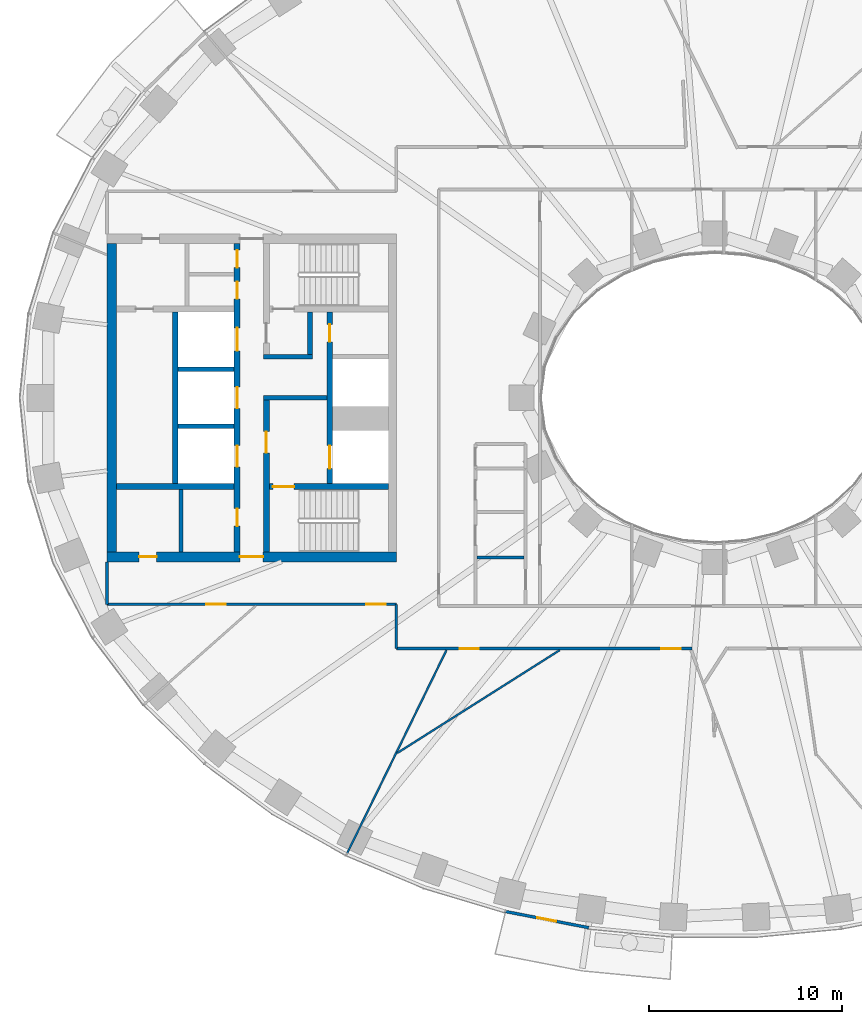
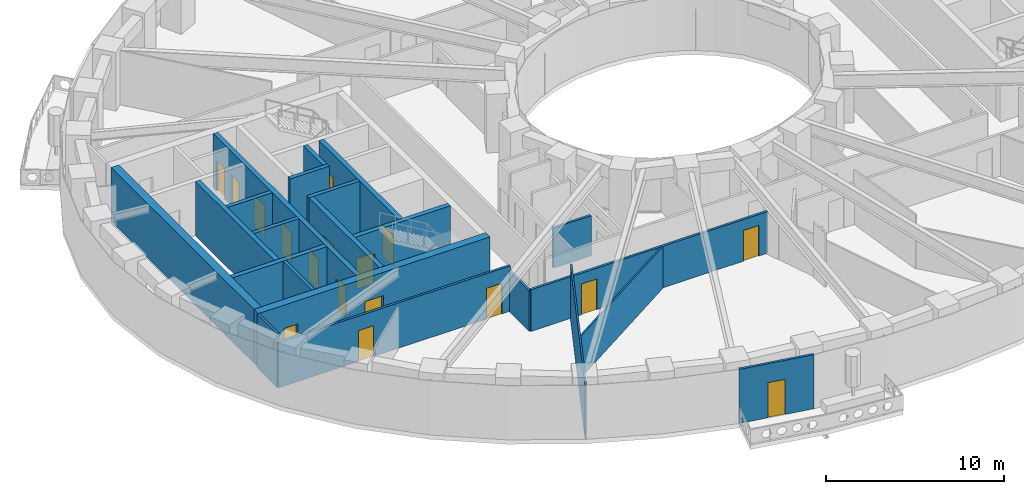
# One storey, part 3 of 16: 22 walls, 17 doors, 17 openings.
"""IFC4 building model written with IfcOpenShell, lengths in metres."""

from ifc_helpers import new_model, si_unit, direction, frame, frame_2d, origin, place, context, subcontext, project, spatial, rectangle, extrude, material, layer, layer_set, type_object, element, fill, save


model = new_model("IFC4")

# Units and contexts
model_context = context("Model", 3, precision=1e-05, world=origin(), true_north=direction((0.0, 1.0)))
body_context = subcontext(model_context, "Body", "Model", "MODEL_VIEW")
ifc_project = project(units=[si_unit("LENGTHUNIT", "METRE"), si_unit("AREAUNIT", "SQUARE_METRE"), si_unit("VOLUMEUNIT", "CUBIC_METRE"), si_unit("PLANEANGLEUNIT", "RADIAN"), si_unit("MASSUNIT", "GRAM", prefix="KILO")], contexts=[model_context])

# Site, building, storey
site_placement = place(None, origin())
site = spatial("IfcSite", under=ifc_project, at=site_placement, CompositionType="ELEMENT")
building_placement = place(site_placement, origin())
building = spatial("IfcBuilding", under=site, at=building_placement, Name="Noorbagh Ring Tower", CompositionType="ELEMENT")
storey_placement = place(building_placement, frame((0.0, 0.0, 58.5)))
storey = spatial("IfcBuildingStorey", under=building, at=storey_placement, Name="L12", CompositionType="ELEMENT", Elevation=58.5)

# Walls
ifc_material_1 = material(Name="Gypsum board on steel studs", Category="steel")
ifc_layer_1 = layer(ifc_material_1, 0.199951171875)
ifc_layer_set_1 = layer_set([ifc_layer_1], Name="Gypsum board on steel studs")
wall_type_1 = type_object("IfcWallType", Name="CORE-PARTITION-200", PredefinedType="PARTITIONING", material=ifc_layer_set_1)
wall_1_placement = place(storey_placement, frame((-27.64990234375, -8.0, 0.0), z_axis=(0.0, 0.0, 1.0), x_axis=(0.0, 1.0, 0.0)))
element("IfcWall", 1, at=wall_1_placement, inside=storey, type_object=wall_type_1, Name="Core partition W", PredefinedType="PARTITIONING", context=body_context, shape_type="SweptSolid", body=[
    extrude(rectangle(XDim=3.25, YDim=0.199951171875, at=frame_2d((1.625, 0.0))), origin(), (0.0, 0.0, 1.0), 3.699951171875),
])
ifc_material_2 = material(Name="Concrete C70/85", Category="concrete")
ifc_layer_2 = layer(ifc_material_2, 0.25)
ifc_layer_set_2 = layer_set([ifc_layer_2], Name="Concrete C70/85")
wall_type_2 = type_object("IfcWallType", Name="CORE-WALL-250-C70-85-EI120", PredefinedType="SHEAR", material=ifc_layer_set_2)
for number, where, z_axis, x_axis, name in (
    (2, (-24.89990234375, -1.47509765625, 0.0), (0.0, 0.0, 1.0), (-1.0, 0.0, 0.0), "Core wall W"),
    (3, (-24.89990234375, 1.47509765625, 0.0), (0.0, 0.0, 1.0), (-1.0, 0.0, 0.0), "Core wall W"),
):
    element("IfcWall", number, at=place(storey_placement, frame(where, z_axis=z_axis, x_axis=x_axis)), inside=storey, type_object=wall_type_2, Name=name, PredefinedType="SHEAR", context=body_context, shape_type="SweptSolid", body=[
        extrude(rectangle(XDim=2.900146484375, YDim=0.25, at=frame_2d((1.4501953125, 0.0))), origin(), (0.0, 0.0, 1.0), 3.699951171875),
    ])
ifc_material_3 = material(Name="Concrete C70/85", Category="concrete")
ifc_layer_3 = layer(ifc_material_3, 0.25)
ifc_layer_set_3 = layer_set([ifc_layer_3], Name="Concrete C70/85")
wall_type_3 = type_object("IfcWallType", Name="CORE-WALL-250-C70-85-EI240", PredefinedType="SHEAR", material=ifc_layer_set_3)
wall_2_placement = place(storey_placement, frame((-20.10009765625, 0.0, 0.0), z_axis=(0.0, 0.0, 1.0), x_axis=(-1.0, 0.0, 0.0)))
element("IfcWall", 4, at=wall_2_placement, inside=storey, type_object=wall_type_3, Name="Core wall W", PredefinedType="SHEAR", context=body_context, shape_type="SweptSolid", body=[
    extrude(rectangle(XDim=3.27978515625, YDim=0.25, at=frame_2d((1.639892578125, 0.0))), origin(), (0.0, 0.0, 1.0), 3.699951171875),
])
wall_3_placement = place(storey_placement, frame((-20.85009765625, 2.125, 0.0), z_axis=(0.0, 0.0, 1.0), x_axis=(-1.0, 0.0, 0.0)))
element("IfcWall", 5, at=wall_3_placement, inside=storey, type_object=wall_type_3, Name="Core wall W", PredefinedType="SHEAR", context=body_context, shape_type="SweptSolid", body=[
    extrude(rectangle(XDim=2.52978515625, YDim=0.25, at=frame_2d((1.264892578125, 0.0))), origin(), (0.0, 0.0, 1.0), 3.699951171875),
])
wall_4_placement = place(storey_placement, frame((-20.97509765625, 2.25, 0.0), z_axis=(0.0, 0.0, 1.0), x_axis=(0.0, 1.0, 0.0)))
element("IfcWall", 6, at=wall_4_placement, inside=storey, type_object=wall_type_3, Name="Core wall W", PredefinedType="SHEAR", context=body_context, shape_type="SweptSolid", body=[
    extrude(rectangle(XDim=2.199951171875, YDim=0.25, at=frame_2d((1.10009765625, 0.0))), origin(), (0.0, 0.0, 1.0), 3.699951171875),
])
ifc_material_4 = material(Name="Concrete C70/85", Category="concrete")
ifc_layer_4 = layer(ifc_material_4, 0.300048828125)
ifc_layer_set_4 = layer_set([ifc_layer_4], Name="Concrete C70/85")
wall_type_4 = type_object("IfcWallType", Name="CORE-WALL-300-C70-85-EI120", PredefinedType="SHEAR", material=ifc_layer_set_4)
wall_5_placement = place(storey_placement, frame((-27.949951171875, -4.449951171875, 0.0), z_axis=(0.0, 0.0, 1.0), x_axis=(0.0, 1.0, 0.0)))
element("IfcWall", 7, at=wall_5_placement, inside=storey, type_object=wall_type_4, Name="Core wall W", PredefinedType="SHEAR", context=body_context, shape_type="SweptSolid", body=[
    extrude(rectangle(XDim=8.89990234375, YDim=0.300048828125, at=frame_2d((4.449951171875, 0.0))), origin(), (0.0, 0.0, 1.0), 3.699951171875),
])

# Wall, openings, doors
wall_6_placement = place(storey_placement, frame((-19.949951171875, -4.449951171875, 0.0), z_axis=(0.0, 0.0, 1.0), x_axis=(0.0, 1.0, 0.0)))
wall_6 = element("IfcWall", 8, at=wall_6_placement, inside=storey, type_object=wall_type_4, Name="Core wall W", PredefinedType="SHEAR", context=body_context, shape_type="SweptSolid", body=[
    extrude(rectangle(XDim=8.89990234375, YDim=0.300048828125, at=frame_2d((4.449951171875, 0.0))), origin(), (0.0, 0.0, 1.0), 3.699951171875),
])
opening_1_placement = place(wall_6_placement, frame((0.77490234375, 0.0, 0.0)))
opening_1 = element("IfcOpeningElement", 9, at=opening_1_placement, cuts=wall_6, Name="Opening L12-CW01", PredefinedType="OPENING", context=body_context, shape_type="SweptSolid", body=[
    extrude(rectangle(XDim=1.199951171875, YDim=2.10009765625, at=frame_2d((0.60009765625, 1.050048828125))), frame((0.0, 0.16015625, 0.0), z_axis=(0.0, -1.0, 0.0), x_axis=(1.0, 0.0, 0.0)), (0.0, 0.0, 1.0), 0.320068359375),
])
opening_2_placement = place(wall_6_placement, frame((7.35009765625, 0.0, 0.0)))
opening_2 = element("IfcOpeningElement", 10, at=opening_2_placement, cuts=wall_6, Name="Opening L12-CW11", PredefinedType="OPENING", context=body_context, shape_type="SweptSolid", body=[
    extrude(rectangle(XDim=0.89990234375, YDim=2.10009765625, at=frame_2d((0.449951171875, 1.050048828125))), frame((0.0, 0.16015625, 0.0), z_axis=(0.0, -1.0, 0.0), x_axis=(1.0, 0.0, 0.0)), (0.0, 0.0, 1.0), 0.320068359375),
])
ifc_material_5 = material(Name="Steel door leaf", Category="steel")
door_type_1 = type_object("IfcDoorType", Name="CORE-DOOR-DROOM", OperationType="SINGLE_SWING_LEFT", PredefinedType="DOOR", material=ifc_material_5)
door_1_placement = place(opening_2_placement, origin())
door_1 = element("IfcDoor", 11, at=door_1_placement, inside=storey, type_object=door_type_1, Name="Core room door L12-CW11", OperationType="SINGLE_SWING_LEFT", OverallHeight=2.10009765625, OverallWidth=0.89990234375, PredefinedType="DOOR", context=body_context, shape_type="SweptSolid", body=[
    extrude(rectangle(XDim=0.89990234375, YDim=2.10009765625, at=frame_2d((0.449951171875, 1.050048828125))), frame((0.0, 0.02490234375, 0.0), z_axis=(0.0, -1.0, 0.0), x_axis=(1.0, 0.0, 0.0)), (0.0, 0.0, 1.0), 0.050048828125),
])
fill(opening_2, door_1)
ifc_material_6 = material(Name="Steel door leaf", Category="steel")
door_type_2 = type_object("IfcDoorType", Name="CORE-DOOR-LDW", OperationType="DOUBLE_DOOR_SLIDING", PredefinedType="DOOR", material=ifc_material_6)
door_2_placement = place(opening_1_placement, origin())
door_2 = element("IfcDoor", 12, at=door_2_placement, inside=storey, type_object=door_type_2, Name="Landing door FF1 L12-CW01", OperationType="DOUBLE_DOOR_SLIDING", OverallHeight=2.10009765625, OverallWidth=1.199951171875, PredefinedType="DOOR", context=body_context, shape_type="SweptSolid", body=[
    extrude(rectangle(XDim=1.199951171875, YDim=2.10009765625, at=frame_2d((0.60009765625, 1.050048828125))), frame((0.0, 0.02490234375, 0.0), z_axis=(0.0, -1.0, 0.0), x_axis=(1.0, 0.0, 0.0)), (0.0, 0.0, 1.0), 0.050048828125),
])
fill(opening_1, door_2)

wall_7_placement = place(storey_placement, frame((-24.75, -8.0, 0.0), z_axis=(0.0, 0.0, 1.0), x_axis=(0.0, 1.0, 0.0)))
wall_7 = element("IfcWall", 13, at=wall_7_placement, inside=storey, type_object=wall_type_4, Name="Core wall W", PredefinedType="SHEAR", context=body_context, shape_type="SweptSolid", body=[
    extrude(rectangle(XDim=16.0, YDim=0.300048828125, at=frame_2d((8.0, 0.0))), origin(), (0.0, 0.0, 1.0), 3.699951171875),
])
opening_3_placement = place(wall_7_placement, frame((4.425048828125, 0.0, 0.0)))
opening_3 = element("IfcOpeningElement", 14, at=opening_3_placement, cuts=wall_7, Name="Opening L12-CW02", PredefinedType="OPENING", context=body_context, shape_type="SweptSolid", body=[
    extrude(rectangle(XDim=1.10009765625, YDim=2.10009765625, at=frame_2d((0.550048828125, 1.050048828125))), frame((0.0, 0.16015625, 0.0), z_axis=(0.0, -1.0, 0.0), x_axis=(1.0, 0.0, 0.0)), (0.0, 0.0, 1.0), 0.320068359375),
])
opening_4_placement = place(wall_7_placement, frame((7.449951171875, 0.0, 0.0)))
opening_4 = element("IfcOpeningElement", 15, at=opening_4_placement, cuts=wall_7, Name="Opening L12-CW03", PredefinedType="OPENING", context=body_context, shape_type="SweptSolid", body=[
    extrude(rectangle(XDim=1.10009765625, YDim=2.10009765625, at=frame_2d((0.550048828125, 1.050048828125))), frame((0.0, 0.16015625, 0.0), z_axis=(0.0, -1.0, 0.0), x_axis=(1.0, 0.0, 0.0)), (0.0, 0.0, 1.0), 0.320068359375),
])
opening_5_placement = place(wall_7_placement, frame((10.425048828125, 0.0, 0.0)))
opening_5 = element("IfcOpeningElement", 16, at=opening_5_placement, cuts=wall_7, Name="Opening L12-CW04", PredefinedType="OPENING", context=body_context, shape_type="SweptSolid", body=[
    extrude(rectangle(XDim=1.199951171875, YDim=2.10009765625, at=frame_2d((0.60009765625, 1.050048828125))), frame((0.0, 0.16015625, 0.0), z_axis=(0.0, -1.0, 0.0), x_axis=(1.0, 0.0, 0.0)), (0.0, 0.0, 1.0), 0.320068359375),
])
opening_6_placement = place(wall_7_placement, frame((13.125, 0.0, 0.0)))
opening_6 = element("IfcOpeningElement", 17, at=opening_6_placement, cuts=wall_7, Name="Opening L12-CW12", PredefinedType="OPENING", context=body_context, shape_type="SweptSolid", body=[
    extrude(rectangle(XDim=0.89990234375, YDim=2.10009765625, at=frame_2d((0.449951171875, 1.050048828125))), frame((0.0, 0.16015625, 0.0), z_axis=(0.0, -1.0, 0.0), x_axis=(1.0, 0.0, 0.0)), (0.0, 0.0, 1.0), 0.320068359375),
])
opening_7_placement = place(wall_7_placement, frame((14.75, 0.0, 0.0)))
opening_7 = element("IfcOpeningElement", 18, at=opening_7_placement, cuts=wall_7, Name="Opening L12-CW13", PredefinedType="OPENING", context=body_context, shape_type="SweptSolid", body=[
    extrude(rectangle(XDim=0.89990234375, YDim=2.10009765625, at=frame_2d((0.449951171875, 1.050048828125))), frame((0.0, 0.16015625, 0.0), z_axis=(0.0, -1.0, 0.0), x_axis=(1.0, 0.0, 0.0)), (0.0, 0.0, 1.0), 0.320068359375),
])
opening_8_placement = place(wall_7_placement, frame((1.35009765625, 0.0, 0.0)))
opening_8 = element("IfcOpeningElement", 19, at=opening_8_placement, cuts=wall_7, Name="Opening L12-CW15", PredefinedType="OPENING", context=body_context, shape_type="SweptSolid", body=[
    extrude(rectangle(XDim=0.89990234375, YDim=2.10009765625, at=frame_2d((0.449951171875, 1.050048828125))), frame((0.0, 0.16015625, 0.0), z_axis=(0.0, -1.0, 0.0), x_axis=(1.0, 0.0, 0.0)), (0.0, 0.0, 1.0), 0.320068359375),
])
door_3_placement = place(opening_6_placement, origin())
door_3 = element("IfcDoor", 20, at=door_3_placement, inside=storey, type_object=door_type_1, Name="Core room door L12-CW12", OperationType="SINGLE_SWING_LEFT", OverallHeight=2.10009765625, OverallWidth=0.89990234375, PredefinedType="DOOR", context=body_context, shape_type="SweptSolid", body=[
    extrude(rectangle(XDim=0.89990234375, YDim=2.10009765625, at=frame_2d((0.449951171875, 1.050048828125))), frame((0.0, 0.02490234375, 0.0), z_axis=(0.0, -1.0, 0.0), x_axis=(1.0, 0.0, 0.0)), (0.0, 0.0, 1.0), 0.050048828125),
])
fill(opening_6, door_3)
door_4_placement = place(opening_7_placement, origin())
door_4 = element("IfcDoor", 21, at=door_4_placement, inside=storey, type_object=door_type_1, Name="Core room door L12-CW13", OperationType="SINGLE_SWING_RIGHT", OverallHeight=2.10009765625, OverallWidth=0.89990234375, PredefinedType="DOOR", context=body_context, shape_type="SweptSolid", body=[
    extrude(rectangle(XDim=0.89990234375, YDim=2.10009765625, at=frame_2d((0.449951171875, 1.050048828125))), frame((0.0, 0.02490234375, 0.0), z_axis=(0.0, -1.0, 0.0), x_axis=(1.0, 0.0, 0.0)), (0.0, 0.0, 1.0), 0.050048828125),
])
fill(opening_7, door_4)
door_5_placement = place(opening_8_placement, origin())
door_5 = element("IfcDoor", 22, at=door_5_placement, inside=storey, type_object=door_type_1, Name="Core room door L12-CW15", OperationType="SINGLE_SWING_LEFT", OverallHeight=2.10009765625, OverallWidth=0.89990234375, PredefinedType="DOOR", context=body_context, shape_type="SweptSolid", body=[
    extrude(rectangle(XDim=0.89990234375, YDim=2.10009765625, at=frame_2d((0.449951171875, 1.050048828125))), frame((0.0, 0.02490234375, 0.0), z_axis=(0.0, -1.0, 0.0), x_axis=(1.0, 0.0, 0.0)), (0.0, 0.0, 1.0), 0.050048828125),
])
fill(opening_8, door_5)
ifc_material_7 = material(Name="Steel door leaf", Category="steel")
door_type_3 = type_object("IfcDoorType", Name="CORE-DOOR-LD", OperationType="DOUBLE_DOOR_SLIDING", PredefinedType="DOOR", material=ifc_material_7)
door_6_placement = place(opening_3_placement, origin())
door_6 = element("IfcDoor", 23, at=door_6_placement, inside=storey, type_object=door_type_3, Name="Landing door LR1 L12-CW02", OperationType="DOUBLE_DOOR_SLIDING", OverallHeight=2.10009765625, OverallWidth=1.10009765625, PredefinedType="DOOR", context=body_context, shape_type="SweptSolid", body=[
    extrude(rectangle(XDim=1.10009765625, YDim=2.10009765625, at=frame_2d((0.550048828125, 1.050048828125))), frame((0.0, 0.02490234375, 0.0), z_axis=(0.0, -1.0, 0.0), x_axis=(1.0, 0.0, 0.0)), (0.0, 0.0, 1.0), 0.050048828125),
])
fill(opening_3, door_6)
door_7_placement = place(opening_4_placement, origin())
door_7 = element("IfcDoor", 24, at=door_7_placement, inside=storey, type_object=door_type_3, Name="Landing door LR2 L12-CW03", OperationType="DOUBLE_DOOR_SLIDING", OverallHeight=2.10009765625, OverallWidth=1.10009765625, PredefinedType="DOOR", context=body_context, shape_type="SweptSolid", body=[
    extrude(rectangle(XDim=1.10009765625, YDim=2.10009765625, at=frame_2d((0.550048828125, 1.050048828125))), frame((0.0, 0.02490234375, 0.0), z_axis=(0.0, -1.0, 0.0), x_axis=(1.0, 0.0, 0.0)), (0.0, 0.0, 1.0), 0.050048828125),
])
fill(opening_4, door_7)
door_8_placement = place(opening_5_placement, origin())
door_8 = element("IfcDoor", 25, at=door_8_placement, inside=storey, type_object=door_type_2, Name="Landing door SV1 L12-CW04", OperationType="DOUBLE_DOOR_SLIDING", OverallHeight=2.10009765625, OverallWidth=1.199951171875, PredefinedType="DOOR", context=body_context, shape_type="SweptSolid", body=[
    extrude(rectangle(XDim=1.199951171875, YDim=2.10009765625, at=frame_2d((0.60009765625, 1.050048828125))), frame((0.0, 0.02490234375, 0.0), z_axis=(0.0, -1.0, 0.0), x_axis=(1.0, 0.0, 0.0)), (0.0, 0.0, 1.0), 0.050048828125),
])
fill(opening_5, door_8)

# Wall
ifc_material_8 = material(Name="Concrete C70/85", Category="concrete")
ifc_layer_5 = layer(ifc_material_8, 0.300048828125)
ifc_layer_set_5 = layer_set([ifc_layer_5], Name="Concrete C70/85")
wall_type_5 = type_object("IfcWallType", Name="CORE-WALL-300-C70-85-EI240", PredefinedType="SHEAR", material=ifc_layer_set_5)
wall_8_placement = place(storey_placement, frame((-24.89990234375, -4.60009765625, 0.0), z_axis=(0.0, 0.0, 1.0), x_axis=(-1.0, 0.0, 0.0)))
element("IfcWall", 26, at=wall_8_placement, inside=storey, type_object=wall_type_5, Name="Core wall W", PredefinedType="SHEAR", context=body_context, shape_type="SweptSolid", body=[
    extrude(rectangle(XDim=6.10009765625, YDim=0.300048828125, at=frame_2d((3.050048828125, 0.0))), origin(), (0.0, 0.0, 1.0), 3.699951171875),
])

# Wall, opening, door
wall_9_placement = place(storey_placement, frame((-23.22998046875, -8.0, 0.0), z_axis=(0.0, 0.0, 1.0), x_axis=(0.0, 1.0, 0.0)))
wall_9 = element("IfcWall", 27, at=wall_9_placement, inside=storey, type_object=wall_type_5, Name="Core wall W", PredefinedType="SHEAR", context=body_context, shape_type="SweptSolid", body=[
    extrude(rectangle(XDim=7.875, YDim=0.300048828125, at=frame_2d((3.9375, 0.0))), origin(), (0.0, 0.0, 1.0), 3.699951171875),
])
opening_9_placement = place(wall_9_placement, frame((5.14990234375, 0.0, 0.0)))
opening_9 = element("IfcOpeningElement", 28, at=opening_9_placement, cuts=wall_9, Name="Opening L12-CW07", PredefinedType="OPENING", context=body_context, shape_type="SweptSolid", body=[
    extrude(rectangle(XDim=1.10009765625, YDim=2.10009765625, at=frame_2d((0.550048828125, 1.050048828125))), frame((0.0, 0.16015625, 0.0), z_axis=(0.0, -1.0, 0.0), x_axis=(1.0, 0.0, 0.0)), (0.0, 0.0, 1.0), 0.320068359375),
])
ifc_material_9 = material(Name="Steel door leaf", Category="steel")
door_type_4 = type_object("IfcDoorType", Name="CORE-DOOR-DFF", OperationType="SINGLE_SWING_LEFT", PredefinedType="DOOR", material=ifc_material_9)
door_9_placement = place(opening_9_placement, origin())
door_9 = element("IfcDoor", 29, at=door_9_placement, inside=storey, type_object=door_type_4, Name="Firefighting lobby door L12-CW07", OperationType="SINGLE_SWING_LEFT", OverallHeight=2.10009765625, OverallWidth=1.10009765625, PredefinedType="DOOR", context=body_context, shape_type="SweptSolid", body=[
    extrude(rectangle(XDim=1.10009765625, YDim=2.10009765625, at=frame_2d((0.550048828125, 1.050048828125))), frame((0.0, 0.02490234375, 0.0), z_axis=(0.0, -1.0, 0.0), x_axis=(1.0, 0.0, 0.0)), (0.0, 0.0, 1.0), 0.050048828125),
])
fill(opening_9, door_9)

wall_10_placement = place(storey_placement, frame((-16.89990234375, -4.60009765625, 0.0), z_axis=(0.0, 0.0, 1.0), x_axis=(-1.0, 0.0, 0.0)))
wall_10 = element("IfcWall", 30, at=wall_10_placement, inside=storey, type_object=wall_type_5, Name="Core wall W", PredefinedType="SHEAR", context=body_context, shape_type="SweptSolid", body=[
    extrude(rectangle(XDim=6.18017578125, YDim=0.300048828125, at=frame_2d((3.090087890625, 0.0))), origin(), (0.0, 0.0, 1.0), 3.699951171875),
])
opening_10_placement = place(wall_10_placement, frame((4.89990234375, 0.0, 0.0)))
opening_10 = element("IfcOpeningElement", 31, at=opening_10_placement, cuts=wall_10, Name="Opening L12-CW06", PredefinedType="OPENING", context=body_context, shape_type="SweptSolid", body=[
    extrude(rectangle(XDim=1.10009765625, YDim=2.10009765625, at=frame_2d((0.550048828125, 1.050048828125))), frame((0.0, 0.16015625, 0.0), z_axis=(0.0, -1.0, 0.0), x_axis=(1.0, 0.0, 0.0)), (0.0, 0.0, 1.0), 0.320068359375),
])
ifc_material_10 = material(Name="Steel door leaf", Category="steel")
door_type_5 = type_object("IfcDoorType", Name="CORE-DOOR-DSTAIR", OperationType="SINGLE_SWING_LEFT", PredefinedType="DOOR", material=ifc_material_10)
door_10_placement = place(opening_10_placement, origin())
door_10 = element("IfcDoor", 32, at=door_10_placement, inside=storey, type_object=door_type_5, Name="Stair door ST2 L12-CW06", OperationType="SINGLE_SWING_LEFT", OverallHeight=2.10009765625, OverallWidth=1.10009765625, PredefinedType="DOOR", context=body_context, shape_type="SweptSolid", body=[
    extrude(rectangle(XDim=1.10009765625, YDim=2.10009765625, at=frame_2d((0.550048828125, 1.050048828125))), frame((0.0, 0.02490234375, 0.0), z_axis=(0.0, -1.0, 0.0), x_axis=(1.0, 0.0, 0.0)), (0.0, 0.0, 1.0), 0.050048828125),
])
fill(opening_10, door_10)

# Wall, openings, doors
ifc_material_11 = material(Name="Concrete C70/85", Category="concrete")
ifc_layer_6 = layer(ifc_material_11, 0.5)
ifc_layer_set_6 = layer_set([ifc_layer_6], Name="Concrete C70/85")
wall_type_6 = type_object("IfcWallType", Name="CORE-WALL-500-C70-85-EI240", PredefinedType="SHEAR", material=ifc_layer_set_6)
wall_11_placement = place(storey_placement, frame((-16.5, -8.25, 0.0), z_axis=(0.0, 0.0, 1.0), x_axis=(-1.0, 0.0, 0.0)))
wall_11 = element("IfcWall", 33, at=wall_11_placement, inside=storey, type_object=wall_type_6, Name="Core wall W", PredefinedType="SHEAR", context=body_context, shape_type="SweptSolid", body=[
    extrude(rectangle(XDim=15.0, YDim=0.5, at=frame_2d((7.5, 0.0))), origin(), (0.0, 0.0, 1.0), 3.699951171875),
])
opening_11_placement = place(wall_11_placement, frame((6.89990234375, 0.0, 0.0)))
opening_11 = element("IfcOpeningElement", 34, at=opening_11_placement, cuts=wall_11, Name="Opening L12-CW10", PredefinedType="OPENING", context=body_context, shape_type="SweptSolid", body=[
    extrude(rectangle(XDim=1.199951171875, YDim=2.10009765625, at=frame_2d((0.60009765625, 1.050048828125))), frame((0.0, 0.260009765625, 0.0), z_axis=(0.0, -1.0, 0.0), x_axis=(1.0, 0.0, 0.0)), (0.0, 0.0, 1.0), 0.52001953125),
])
opening_12_placement = place(wall_11_placement, frame((12.425048828125, 0.0, 0.0)))
opening_12 = element("IfcOpeningElement", 35, at=opening_12_placement, cuts=wall_11, Name="Opening L12-CW16", PredefinedType="OPENING", context=body_context, shape_type="SweptSolid", body=[
    extrude(rectangle(XDim=0.89990234375, YDim=2.10009765625, at=frame_2d((0.449951171875, 1.050048828125))), frame((0.0, 0.260009765625, 0.0), z_axis=(0.0, -1.0, 0.0), x_axis=(1.0, 0.0, 0.0)), (0.0, 0.0, 1.0), 0.52001953125),
])
door_11_placement = place(opening_12_placement, origin())
door_11 = element("IfcDoor", 36, at=door_11_placement, inside=storey, type_object=door_type_1, Name="Core room door L12-CW16", OperationType="SINGLE_SWING_LEFT", OverallHeight=2.10009765625, OverallWidth=0.89990234375, PredefinedType="DOOR", context=body_context, shape_type="SweptSolid", body=[
    extrude(rectangle(XDim=0.89990234375, YDim=2.10009765625, at=frame_2d((0.449951171875, 1.050048828125))), frame((0.0, 0.02490234375, 0.0), z_axis=(0.0, -1.0, 0.0), x_axis=(1.0, 0.0, 0.0)), (0.0, 0.0, 1.0), 0.050048828125),
])
fill(opening_12, door_11)
ifc_material_12 = material(Name="Steel door leaf", Category="steel")
door_type_6 = type_object("IfcDoorType", Name="CORE-DOOR-PORT", OperationType="DOUBLE_DOOR_DOUBLE_SWING", PredefinedType="DOOR", material=ifc_material_12)
door_12_placement = place(opening_11_placement, origin())
door_12 = element("IfcDoor", 37, at=door_12_placement, inside=storey, type_object=door_type_6, Name="Core entrance door L12-CW10", OperationType="DOUBLE_DOOR_DOUBLE_SWING", OverallHeight=2.10009765625, OverallWidth=1.199951171875, PredefinedType="DOOR", context=body_context, shape_type="SweptSolid", body=[
    extrude(rectangle(XDim=1.199951171875, YDim=2.10009765625, at=frame_2d((0.60009765625, 1.050048828125))), frame((0.0, 0.02490234375, 0.0), z_axis=(0.0, -1.0, 0.0), x_axis=(1.0, 0.0, 0.0)), (0.0, 0.0, 1.0), 0.050048828125),
])
fill(opening_11, door_12)

# Walls
wall_12_placement = place(storey_placement, frame((-31.25, -8.0, 0.0), z_axis=(0.0, 0.0, 1.0), x_axis=(0.0, 1.0, 0.0)))
element("IfcWall", 38, at=wall_12_placement, inside=storey, type_object=wall_type_6, Name="Core wall W", PredefinedType="SHEAR", context=body_context, shape_type="SweptSolid", body=[
    extrude(rectangle(XDim=16.0, YDim=0.5, at=frame_2d((8.0, 0.0))), origin(), (0.0, 0.0, 1.0), 3.699951171875),
])
ifc_material_13 = material(Name="Gypsum board on steel studs", Category="steel")
ifc_layer_7 = layer(ifc_material_13, 0.14990234375)
ifc_layer_set_7 = layer_set([ifc_layer_7], Name="Gypsum board on steel studs")
wall_type_7 = type_object("IfcWallType", Name="CORRIDOR PARTITION 150 EI 30", PredefinedType="PARTITIONING", material=ifc_layer_set_7)
wall_13_placement = place(storey_placement, frame((-31.5, -10.699951171875, 0.0), z_axis=(0.0, 0.0, 1.0), x_axis=(0.0, 1.0, 0.0)))
element("IfcWall", 39, at=wall_13_placement, inside=storey, type_object=wall_type_7, Name="L12/wall/P02", PredefinedType="PARTITIONING", context=body_context, shape_type="SweptSolid", body=[
    extrude(rectangle(XDim=2.199951171875, YDim=0.14990234375, at=frame_2d((1.10009765625, 0.0))), origin(), (0.0, 0.0, 1.0), 3.699951171875),
])

# Wall, openings, doors
wall_14_placement = place(storey_placement, frame((-31.5, -10.699951171875, 0.0), z_axis=(0.0, 0.0, 1.0), x_axis=(1.0, 0.0, 0.0)))
wall_14 = element("IfcWall", 40, at=wall_14_placement, inside=storey, type_object=wall_type_7, Name="L12/wall/P03", PredefinedType="PARTITIONING", context=body_context, shape_type="SweptSolid", body=[
    extrude(rectangle(XDim=15.0, YDim=0.14990234375, at=frame_2d((7.5, 0.0))), origin(), (0.0, 0.0, 1.0), 3.10009765625),
])
opening_13_placement = place(wall_14_placement, frame((5.14990234375, 0.0, 0.0)))
opening_13 = element("IfcOpeningElement", 41, at=opening_13_placement, cuts=wall_14, Name="Opening D1", PredefinedType="OPENING", context=body_context, shape_type="SweptSolid", body=[
    extrude(rectangle(XDim=1.0, YDim=2.10009765625, at=frame_2d((0.5, 1.050048828125))), frame((0.0, 0.0849609375, 0.0), z_axis=(0.0, -1.0, 0.0), x_axis=(1.0, 0.0, 0.0)), (0.0, 0.0, 1.0), 0.169921875),
])
opening_14_placement = place(wall_14_placement, frame((13.447998046875, 0.0, 0.0)))
opening_14 = element("IfcOpeningElement", 42, at=opening_14_placement, cuts=wall_14, Name="Opening D1", PredefinedType="OPENING", context=body_context, shape_type="SweptSolid", body=[
    extrude(rectangle(XDim=1.0, YDim=2.10009765625, at=frame_2d((0.5, 1.050048828125))), frame((0.0, 0.0849609375, 0.0), z_axis=(0.0, -1.0, 0.0), x_axis=(1.0, 0.0, 0.0)), (0.0, 0.0, 1.0), 0.169921875),
])
ifc_material_14 = material(Name="Timber, painted", Category="wood")
door_type_7 = type_object("IfcDoorType", Name="DOOR 1000 X 2100 FD30", OperationType="SINGLE_SWING_LEFT", PredefinedType="DOOR", material=ifc_material_14)
door_13_placement = place(opening_13_placement, origin())
door_13 = element("IfcDoor", 43, at=door_13_placement, inside=storey, type_object=door_type_7, Name="L12-D06", OperationType="SINGLE_SWING_RIGHT", OverallHeight=2.10009765625, OverallWidth=1.0, PredefinedType="DOOR", context=body_context, shape_type="SweptSolid", body=[
    extrude(rectangle(XDim=1.0, YDim=2.10009765625, at=frame_2d((0.5, 1.050048828125))), frame((0.0, 0.02490234375, 0.0), z_axis=(0.0, -1.0, 0.0), x_axis=(1.0, 0.0, 0.0)), (0.0, 0.0, 1.0), 0.050048828125),
])
fill(opening_13, door_13)
door_14_placement = place(opening_14_placement, origin())
door_14 = element("IfcDoor", 44, at=door_14_placement, inside=storey, type_object=door_type_7, Name="L12-D08", OperationType="SINGLE_SWING_RIGHT", OverallHeight=2.10009765625, OverallWidth=1.0, PredefinedType="DOOR", context=body_context, shape_type="SweptSolid", body=[
    extrude(rectangle(XDim=1.0, YDim=2.10009765625, at=frame_2d((0.5, 1.050048828125))), frame((0.0, 0.02490234375, 0.0), z_axis=(0.0, -1.0, 0.0), x_axis=(1.0, 0.0, 0.0)), (0.0, 0.0, 1.0), 0.050048828125),
])
fill(opening_14, door_14)

# Wall
wall_15_placement = place(storey_placement, frame((-16.5, -13.0, 0.0), z_axis=(0.0, 0.0, 1.0), x_axis=(0.0, 1.0, 0.0)))
element("IfcWall", 45, at=wall_15_placement, inside=storey, type_object=wall_type_7, Name="L12/wall/P10", PredefinedType="PARTITIONING", context=body_context, shape_type="SweptSolid", body=[
    extrude(rectangle(XDim=2.300048828125, YDim=0.14990234375, at=frame_2d((1.14990234375, 0.0))), origin(), (0.0, 0.0, 1.0), 2.75),
])

# Wall, openings, doors
wall_16_placement = place(storey_placement, frame((-16.5, -13.0, 0.0), z_axis=(0.0, 0.0, 1.0), x_axis=(1.0, 0.0, 0.0)))
wall_16 = element("IfcWall", 46, at=wall_16_placement, inside=storey, type_object=wall_type_7, Name="L12/wall/P11", PredefinedType="PARTITIONING", context=body_context, shape_type="SweptSolid", body=[
    extrude(rectangle(XDim=15.333984375, YDim=0.14990234375, at=frame_2d((7.6669921875, 0.0))), origin(), (0.0, 0.0, 1.0), 2.85009765625),
])
opening_15_placement = place(wall_16_placement, frame((13.739013671875, 0.0, 0.0)))
opening_15 = element("IfcOpeningElement", 47, at=opening_15_placement, cuts=wall_16, Name="Opening D1", PredefinedType="OPENING", context=body_context, shape_type="SweptSolid", body=[
    extrude(rectangle(XDim=1.0, YDim=2.10009765625, at=frame_2d((0.5, 1.050048828125))), frame((0.0, 0.0849609375, 0.0), z_axis=(0.0, -1.0, 0.0), x_axis=(1.0, 0.0, 0.0)), (0.0, 0.0, 1.0), 0.169921875),
])
opening_16_placement = place(wall_16_placement, frame((3.279052734375, 0.0, 0.0)))
opening_16 = element("IfcOpeningElement", 48, at=opening_16_placement, cuts=wall_16, Name="Opening D1", PredefinedType="OPENING", context=body_context, shape_type="SweptSolid", body=[
    extrude(rectangle(XDim=1.0, YDim=2.10009765625, at=frame_2d((0.5, 1.050048828125))), frame((0.0, 0.0849609375, 0.0), z_axis=(0.0, -1.0, 0.0), x_axis=(1.0, 0.0, 0.0)), (0.0, 0.0, 1.0), 0.169921875),
])
door_15_placement = place(opening_15_placement, origin())
door_15 = element("IfcDoor", 49, at=door_15_placement, inside=storey, type_object=door_type_7, Name="L12-D10", OperationType="SINGLE_SWING_RIGHT", OverallHeight=2.10009765625, OverallWidth=1.0, PredefinedType="DOOR", context=body_context, shape_type="SweptSolid", body=[
    extrude(rectangle(XDim=1.0, YDim=2.10009765625, at=frame_2d((0.5, 1.050048828125))), frame((0.0, 0.02490234375, 0.0), z_axis=(0.0, -1.0, 0.0), x_axis=(1.0, 0.0, 0.0)), (0.0, 0.0, 1.0), 0.050048828125),
])
fill(opening_15, door_15)
door_16_placement = place(opening_16_placement, origin())
door_16 = element("IfcDoor", 50, at=door_16_placement, inside=storey, type_object=door_type_7, Name="L12-D11", OperationType="SINGLE_SWING_LEFT", OverallHeight=2.10009765625, OverallWidth=1.0, PredefinedType="DOOR", context=body_context, shape_type="SweptSolid", body=[
    extrude(rectangle(XDim=1.0, YDim=2.10009765625, at=frame_2d((0.5, 1.050048828125))), frame((0.0, 0.02490234375, 0.0), z_axis=(0.0, -1.0, 0.0), x_axis=(1.0, 0.0, 0.0)), (0.0, 0.0, 1.0), 0.050048828125),
])
fill(opening_16, door_16)

# Wall
wall_17_placement = place(storey_placement, frame((-12.324951171875, -8.280029296875, 0.0), z_axis=(0.0, 0.0, 1.0), x_axis=(1.0, 0.0, 0.0)))
element("IfcWall", 51, at=wall_17_placement, inside=storey, type_object=wall_type_7, Name="L12/wall/P19", PredefinedType="PARTITIONING", context=body_context, shape_type="SweptSolid", body=[
    extrude(rectangle(XDim=2.449951171875, YDim=0.14990234375, at=frame_2d((1.22509765625, 0.0))), origin(), (0.0, 0.0, 1.0), 2.75),
])

# Wall, opening, door
ifc_material_15 = material(Name="Insulated aluminium clad panel", Category="aluminium")
ifc_layer_8 = layer(ifc_material_15, 0.14990234375)
ifc_layer_set_8 = layer_set([ifc_layer_8], Name="Insulated aluminium clad panel")
wall_type_8 = type_object("IfcWallType", Name="ENV-WALL-DOOR", PredefinedType="STANDARD", material=ifc_layer_set_8)
wall_18_placement = place(storey_placement, frame((-10.87060546875, -26.616943359375, 0.0), z_axis=(0.0, 0.0, 1.0), x_axis=(0.981631174778, -0.190788460615, 0.0)))
wall_18 = element("IfcWall", 52, at=wall_18_placement, inside=storey, type_object=wall_type_8, Name="Balcony door wall chord 33", PredefinedType="STANDARD", context=body_context, shape_type="SweptSolid", body=[
    extrude(rectangle(XDim=4.42626953125, YDim=0.14990234375, at=frame_2d((2.213134765625, 0.0))), origin(), (0.0, 0.0, 1.0), 3.699951171875),
])
opening_17_placement = place(wall_18_placement, frame((1.713134765625, 0.0, 0.0)))
opening_17 = element("IfcOpeningElement", 53, at=opening_17_placement, cuts=wall_18, Name="Opening D-BL", PredefinedType="OPENING", context=body_context, shape_type="SweptSolid", body=[
    extrude(rectangle(XDim=1.0, YDim=2.39990234375, at=frame_2d((0.5, 1.199951171875))), frame((0.0, 0.0849609375, 0.0), z_axis=(0.0, -1.0, 0.0), x_axis=(1.0, 0.0, 0.0)), (0.0, 0.0, 1.0), 0.169921875),
])
ifc_material_16 = material(Name="Aluminium and glass", Category="aluminium")
door_type_8 = type_object("IfcDoorType", Name="ENV-DOOR-BALCONY", OperationType="SINGLE_SWING_LEFT", PredefinedType="DOOR", material=ifc_material_16)
door_17_placement = place(opening_17_placement, origin())
door_17 = element("IfcDoor", 54, at=door_17_placement, inside=storey, type_object=door_type_8, Name="Balcony door chord 33", OperationType="SINGLE_SWING_LEFT", OverallHeight=2.39990234375, OverallWidth=1.0, PredefinedType="DOOR", context=body_context, shape_type="SweptSolid", body=[
    extrude(rectangle(XDim=1.0, YDim=2.39990234375, at=frame_2d((0.5, 1.199951171875))), frame((0.0, 0.02490234375, 0.0), z_axis=(0.0, -1.0, 0.0), x_axis=(1.0, 0.0, 0.0)), (0.0, 0.0, 1.0), 0.050048828125),
])
fill(opening_17, door_17)

# Walls
ifc_material_17 = material(Name="Gypsum board on steel studs", Category="steel")
ifc_layer_9 = layer(ifc_material_17, 0.10009765625)
ifc_layer_set_9 = layer_set([ifc_layer_9], Name="Gypsum board on steel studs")
wall_type_9 = type_object("IfcWallType", Name="PARTITION 100 GYPSUM", PredefinedType="PARTITIONING", material=ifc_layer_set_9)
wall_19_placement = place(storey_placement, frame((-19.0859375, -23.68505859375, 0.0), z_axis=(0.0, 0.0, 1.0), x_axis=(0.439199750603, 0.898389436197, 0.0)))
element("IfcWall", 55, at=wall_19_placement, inside=storey, type_object=wall_type_9, Name="L12/wall/P08", PredefinedType="PARTITIONING", context=body_context, shape_type="SweptSolid", body=[
    extrude(rectangle(XDim=11.81005859375, YDim=0.10009765625, at=frame_2d((5.905029296875, 0.0))), origin(), (0.0, 0.0, 1.0), 3.699951171875),
])
wall_20_placement = place(storey_placement, frame((-16.451904296875, -18.412109375, 0.0), z_axis=(0.0, 0.0, 1.0), x_axis=(0.84481391066, 0.535060236194, 0.0)))
element("IfcWall", 56, at=wall_20_placement, inside=storey, type_object=wall_type_9, Name="L12/wall/P09", PredefinedType="PARTITIONING", context=body_context, shape_type="SweptSolid", body=[
    extrude(rectangle(XDim=9.97119140625, YDim=0.10009765625, at=frame_2d((4.985595703125, 0.0))), origin(), (0.0, 0.0, 1.0), 2.85009765625),
])

save(model, "model.ifc")
